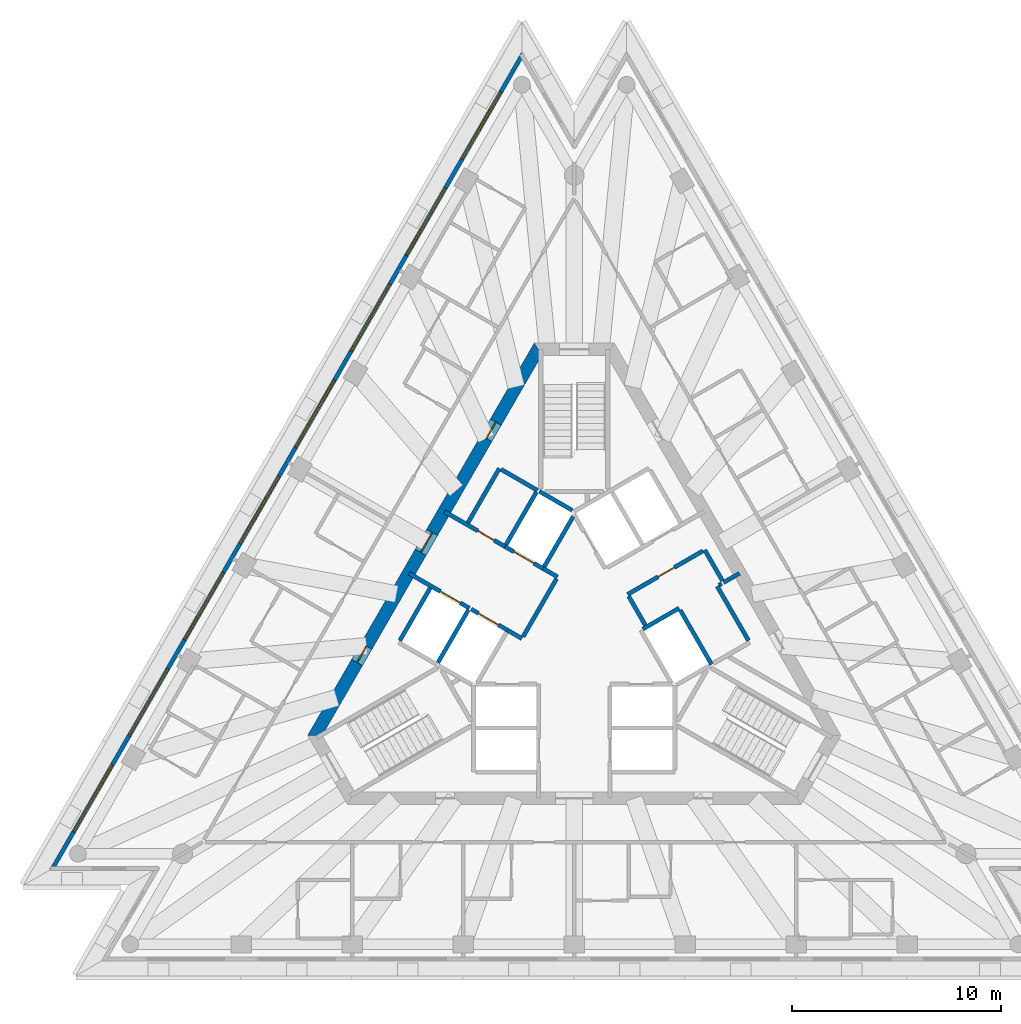
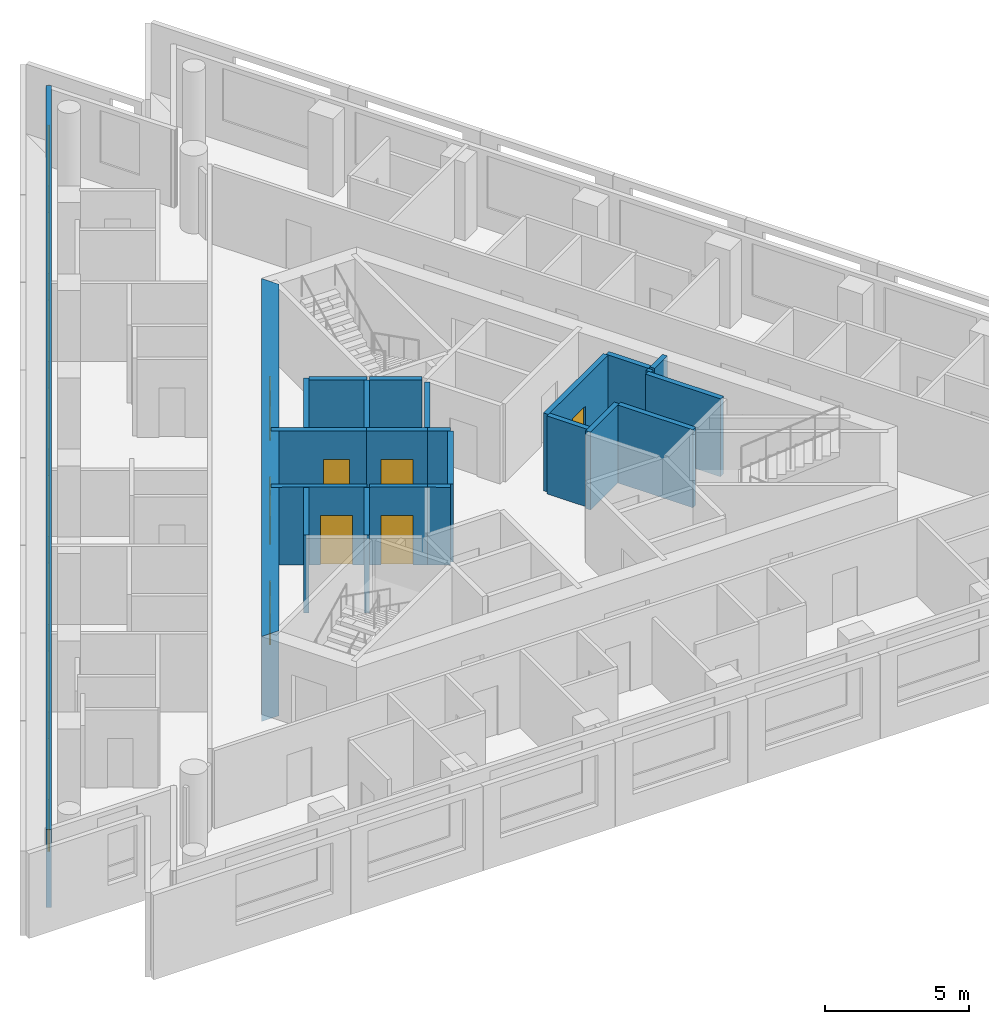
# One storey, part 5 of 11: 24 walls, 8 doors, 8 windows, 16 openings.
"""IFC4 building model written with IfcOpenShell, lengths in metres."""

from ifc_helpers import new_model, si_unit, direction, frame, frame_2d, origin, place, context, subcontext, project, spatial, polyline, rectangle, outline, extrude, material, layer, layer_set, layer_usage, type_object, element, fill, save


model = new_model("IFC4")

# Units and contexts
model_context = context("Model", 3, precision=1e-05, world=origin(), true_north=direction((0.0, 1.0)))
body_context = subcontext(model_context, "Body", "Model", "MODEL_VIEW")
ifc_project = project(units=[si_unit("LENGTHUNIT", "METRE"), si_unit("AREAUNIT", "SQUARE_METRE"), si_unit("VOLUMEUNIT", "CUBIC_METRE"), si_unit("PLANEANGLEUNIT", "RADIAN"), si_unit("MASSUNIT", "GRAM", prefix="KILO")], contexts=[model_context])

# Site, building, storey
site_placement = place(None, origin())
site = spatial("IfcSite", under=ifc_project, at=site_placement, CompositionType="ELEMENT")
building_placement = place(site_placement, origin())
building = spatial("IfcBuilding", under=site, at=building_placement, Name="Triada Interchange Tower", CompositionType="ELEMENT")
storey_placement = place(building_placement, frame((0.0, 0.0, 304.300048828125)))
storey = spatial("IfcBuildingStorey", under=building, at=storey_placement, Name="L72", CompositionType="ELEMENT", Elevation=304.300048828125)

# Walls
ifc_material_1 = material(Name="Concrete C30/37", Category="concrete")
ifc_layer_1 = layer(ifc_material_1, 0.199951171875)
ifc_layer_set_1 = layer_set([ifc_layer_1], Name="CORE WALL 200 EI 120")
wall_type_1 = type_object("IfcWallType", Name="CORE WALL 200 EI 120", PredefinedType="SOLIDWALL", material=ifc_layer_set_1)
wall_1_placement = place(storey_placement, frame((-8.325927734375, -0.6201171875, 0.0), z_axis=(0.0, 0.0, 1.0), x_axis=(0.500023687443, 0.866011727401, 0.0)))
element("IfcWall", 1, at=wall_1_placement, inside=storey, type_object=wall_type_1, Name="Wall L71 70", PredefinedType="SOLIDWALL", context=body_context, shape_type="SweptSolid", body=[
    extrude(rectangle(XDim=2.899658203125, YDim=0.199951171875, at=frame_2d((1.44970703125, 0.0))), origin(), (0.0, 0.0, 1.0), 3.300048828125),
])
wall_2_placement = place(storey_placement, frame((3.278076171875, -0.071044921875, 0.0), z_axis=(0.0, 0.0, 1.0), x_axis=(0.865855657918, 0.500293893279, 0.0)))
element("IfcWall", 2, at=wall_2_placement, inside=storey, type_object=wall_type_1, Name="Wall L71 85", PredefinedType="SOLIDWALL", context=body_context, shape_type="SweptSolid", body=[
    extrude(rectangle(XDim=1.996826171875, YDim=0.199951171875, at=frame_2d((0.99853515625, 0.0))), origin(), (0.0, 0.0, 1.0), 3.300048828125),
])
wall_3_placement = place(storey_placement, frame((7.12890625, 2.153076171875, 0.0), z_axis=(0.0, 0.0, 1.0), x_axis=(0.866083962871, 0.499898558967, 0.0)))
element("IfcWall", 3, at=wall_3_placement, inside=storey, type_object=wall_type_1, Name="Wall L71 86", PredefinedType="SOLIDWALL", context=body_context, shape_type="SweptSolid", body=[
    extrude(rectangle(XDim=0.880126953125, YDim=0.199951171875, at=frame_2d((0.43994140625, 0.0))), origin(), (0.0, 0.0, 1.0), 3.300048828125),
])
wall_4_placement = place(storey_placement, frame((5.056884765625, 0.841064453125, 0.0), z_axis=(0.0, 0.0, 1.0), x_axis=(0.499990139034, -0.866031096941, 0.0)))
element("IfcWall", 4, at=wall_4_placement, inside=storey, type_object=wall_type_1, Name="Wall L71 89", PredefinedType="SOLIDWALL", context=body_context, shape_type="SweptSolid", body=[
    extrude(rectangle(XDim=3.0, YDim=0.199951171875, at=frame_2d((1.5, 0.0))), origin(), (0.0, 0.0, 1.0), 3.300048828125),
])
wall_5_placement = place(storey_placement, frame((6.22900390625, 3.7119140625, 0.0), z_axis=(0.0, 0.0, 1.0), x_axis=(0.499875724984, -0.86609714211, 0.0)))
element("IfcWall", 5, at=wall_5_placement, inside=storey, type_object=wall_type_1, Name="Wall L71 91", PredefinedType="SOLIDWALL", context=body_context, shape_type="SweptSolid", body=[
    extrude(rectangle(XDim=1.70068359375, YDim=0.199951171875, at=frame_2d((0.850341796875, 0.0))), origin(), (0.0, 0.0, 1.0), 3.300048828125),
])

# Wall, opening, door
wall_6_placement = place(storey_placement, frame((2.548095703125, 1.5869140625, 0.0), z_axis=(0.0, 0.0, 1.0), x_axis=(0.866004344652, 0.500036473714, 0.0)))
wall_6 = element("IfcWall", 6, at=wall_6_placement, inside=storey, type_object=wall_type_1, Name="Wall L71 92", PredefinedType="SOLIDWALL", context=body_context, shape_type="SweptSolid", body=[
    extrude(rectangle(XDim=4.150146484375, YDim=0.199951171875, at=frame_2d((2.0751953125, 0.0))), origin(), (0.0, 0.0, 1.0), 3.300048828125),
])
opening_1_placement = place(wall_6_placement, frame((1.675048828125, 0.0, 0.0)))
opening_1 = element("IfcOpeningElement", 7, at=opening_1_placement, cuts=wall_6, Name="Opening D71-60", PredefinedType="OPENING", context=body_context, shape_type="SweptSolid", body=[
    extrude(rectangle(XDim=0.89990234375, YDim=2.10009765625, at=frame_2d((0.449951171875, 1.050048828125))), frame((0.0, 0.10986328125, 0.0), z_axis=(0.0, -1.0, 0.0), x_axis=(1.0, 0.0, 0.0)), (0.0, 0.0, 1.0), 0.219970703125),
])
ifc_material_2 = material(Name="Steel S235 door leaf", Category="steel")
door_type_1 = type_object("IfcDoorType", Name="SERVICE DOOR 900 EI2 45-C5S200", OperationType="NOTDEFINED", PredefinedType="DOOR", material=ifc_material_2)
door_1_placement = place(opening_1_placement, origin())
door_1 = element("IfcDoor", 8, at=door_1_placement, inside=storey, type_object=door_type_1, Name="Door D71-60 L72", OperationType="SINGLE_SWING_RIGHT", OverallHeight=2.10009765625, OverallWidth=0.89990234375, PredefinedType="DOOR", context=body_context, shape_type="SweptSolid", body=[
    extrude(rectangle(XDim=0.89990234375, YDim=2.10009765625, at=frame_2d((0.449951171875, 1.050048828125))), frame((0.0, 0.02490234375, 0.0), z_axis=(0.0, -1.0, 0.0), x_axis=(1.0, 0.0, 0.0)), (0.0, 0.0, 1.0), 0.050048828125),
])
fill(opening_1, door_1)

# Wall
wall_7_placement = place(storey_placement, frame((2.597900390625, 1.5, 0.0), z_axis=(0.0, 0.0, 1.0), x_axis=(0.499929347863, -0.866066190972, 0.0)))
element("IfcWall", 9, at=wall_7_placement, inside=storey, type_object=wall_type_1, Name="Wall L71 93", PredefinedType="SOLIDWALL", context=body_context, shape_type="SweptSolid", body=[
    extrude(rectangle(XDim=1.600341796875, YDim=0.199951171875, at=frame_2d((0.80029296875, 0.0))), origin(), (0.0, 0.0, 1.0), 3.300048828125),
])

# Wall, opening, door
ifc_layer_2 = layer(ifc_material_1, 0.199951171875)
ifc_layer_set_2 = layer_set([ifc_layer_2], Name="CORE WALL 200 EI 180")
wall_type_2 = type_object("IfcWallType", Name="CORE WALL 200 EI 180", PredefinedType="SOLIDWALL", material=ifc_layer_set_2)
wall_8_placement = place(storey_placement, frame((-7.89111328125, 2.593017578125, 0.0), z_axis=(0.0, 0.0, 1.0), x_axis=(0.866070917804, -0.499921159118, 0.0)))
wall_8 = element("IfcWall", 10, at=wall_8_placement, inside=storey, type_object=wall_type_2, Name="Wall L71 94", PredefinedType="SOLIDWALL", context=body_context, shape_type="SweptSolid", body=[
    extrude(rectangle(XDim=3.33251953125, YDim=0.199951171875, at=frame_2d((1.666259765625, 0.0))), origin(), (0.0, 0.0, 1.0), 3.300048828125),
])
opening_2_placement = place(wall_8_placement, frame((1.72998046875, 0.0, 0.0)))
opening_2 = element("IfcOpeningElement", 11, at=opening_2_placement, cuts=wall_8, Name="Opening LD-SV1", PredefinedType="OPENING", context=body_context, shape_type="SweptSolid", body=[
    extrude(rectangle(XDim=1.10009765625, YDim=2.10009765625, at=frame_2d((0.550048828125, 1.050048828125))), frame((0.0, 0.10986328125, 0.0), z_axis=(0.0, -1.0, 0.0), x_axis=(1.0, 0.0, 0.0)), (0.0, 0.0, 1.0), 0.219970703125),
])
door_type_2 = type_object("IfcDoorType", Name="LIFT LANDING DOOR 1100 EI 120", OperationType="SLIDING_TO_LEFT", PredefinedType="DOOR", material=ifc_material_2)
door_2_placement = place(opening_2_placement, origin())
door_2 = element("IfcDoor", 12, at=door_2_placement, inside=storey, type_object=door_type_2, Name="SV1 landing door L72", OperationType="SLIDING_TO_LEFT", OverallHeight=2.10009765625, OverallWidth=1.10009765625, PredefinedType="DOOR", context=body_context, shape_type="SweptSolid", body=[
    extrude(rectangle(XDim=1.10009765625, YDim=2.10009765625, at=frame_2d((0.550048828125, 1.050048828125))), frame((0.0, 0.02490234375, 0.0), z_axis=(0.0, -1.0, 0.0), x_axis=(1.0, 0.0, 0.0)), (0.0, 0.0, 1.0), 0.050048828125),
])
fill(opening_2, door_2)

# Wall
wall_9_placement = place(storey_placement, frame((-3.18798828125, -0.1220703125, 0.0), z_axis=(0.0, 0.0, 1.0), x_axis=(0.865705793592, -0.50055317294, 0.0)))
element("IfcWall", 13, at=wall_9_placement, inside=storey, type_object=wall_type_2, Name="Wall L71 95", PredefinedType="SOLIDWALL", context=body_context, shape_type="SweptSolid", body=[
    extrude(rectangle(XDim=0.796875, YDim=0.199951171875, at=frame_2d((0.3984375, 0.0))), origin(), (0.0, 0.0, 1.0), 3.300048828125),
])

# Wall, opening, door
wall_10_placement = place(storey_placement, frame((-6.19091796875, 5.537109375, 0.0), z_axis=(0.0, 0.0, 1.0), x_axis=(0.866052607023, -0.499952879648, 0.0)))
wall_10 = element("IfcWall", 14, at=wall_10_placement, inside=storey, type_object=wall_type_2, Name="Wall L71 96", PredefinedType="SOLIDWALL", context=body_context, shape_type="SweptSolid", body=[
    extrude(rectangle(XDim=3.332275390625, YDim=0.199951171875, at=frame_2d((1.666015625, 0.0))), origin(), (0.0, 0.0, 1.0), 3.300048828125),
])
opening_3_placement = place(wall_10_placement, frame((1.830078125, 0.0, 0.0)))
opening_3 = element("IfcOpeningElement", 15, at=opening_3_placement, cuts=wall_10, Name="Opening D71-10", PredefinedType="OPENING", context=body_context, shape_type="SweptSolid", body=[
    extrude(rectangle(XDim=0.89990234375, YDim=2.10009765625, at=frame_2d((0.449951171875, 1.050048828125))), frame((0.0, 0.10986328125, 0.0), z_axis=(0.0, -1.0, 0.0), x_axis=(1.0, 0.0, 0.0)), (0.0, 0.0, 1.0), 0.219970703125),
])
door_type_3 = type_object("IfcDoorType", Name="SERVICE DOOR 900 EI2 90-C5S200", OperationType="NOTDEFINED", PredefinedType="DOOR", material=ifc_material_2)
door_3_placement = place(opening_3_placement, origin())
door_3 = element("IfcDoor", 16, at=door_3_placement, inside=storey, type_object=door_type_3, Name="Door D71-10 L72", OperationType="SINGLE_SWING_LEFT", OverallHeight=2.10009765625, OverallWidth=0.89990234375, PredefinedType="DOOR", context=body_context, shape_type="SweptSolid", body=[
    extrude(rectangle(XDim=0.89990234375, YDim=2.10009765625, at=frame_2d((0.449951171875, 1.050048828125))), frame((0.0, 0.02490234375, 0.0), z_axis=(0.0, -1.0, 0.0), x_axis=(1.0, 0.0, 0.0)), (0.0, 0.0, 1.0), 0.050048828125),
])
fill(opening_3, door_3)

# Walls
wall_11_placement = place(storey_placement, frame((-1.488037109375, 2.822021484375, 0.0), z_axis=(0.0, 0.0, 1.0), x_axis=(0.866236612152, -0.499633997809, 0.0)))
element("IfcWall", 17, at=wall_11_placement, inside=storey, type_object=wall_type_2, Name="Wall L71 97", PredefinedType="SOLIDWALL", context=body_context, shape_type="SweptSolid", body=[
    extrude(rectangle(XDim=0.79638671875, YDim=0.199951171875, at=frame_2d((0.398193359375, 0.0))), origin(), (0.0, 0.0, 1.0), 3.300048828125),
])
wall_12_placement = place(storey_placement, frame((-5.075927734375, 5.009033203125, 0.0), z_axis=(0.0, 0.0, 1.0), x_axis=(0.50002537861, 0.866010750942, 0.0)))
element("IfcWall", 18, at=wall_12_placement, inside=storey, type_object=wall_type_2, Name="Wall L71 98", PredefinedType="SOLIDWALL", context=body_context, shape_type="SweptSolid", body=[
    extrude(rectangle(XDim=2.999755859375, YDim=0.199951171875, at=frame_2d((1.5, 0.0))), origin(), (0.0, 0.0, 1.0), 3.300048828125),
])
wall_13_placement = place(storey_placement, frame((-3.489013671875, 7.556884765625, 0.0), z_axis=(0.0, 0.0, 1.0), x_axis=(0.866010750942, -0.50002537861, 0.0)))
element("IfcWall", 19, at=wall_13_placement, inside=storey, type_object=wall_type_2, Name="Wall L71 99", PredefinedType="SOLIDWALL", context=body_context, shape_type="SweptSolid", body=[
    extrude(rectangle(XDim=2.0, YDim=0.199951171875, at=frame_2d((1.0, 0.0))), origin(), (0.0, 0.0, 1.0), 3.300048828125),
])
wall_14_placement = place(storey_placement, frame((-2.444091796875, -0.43310546875, 0.0), z_axis=(0.0, 0.0, 1.0), x_axis=(0.500035624827, 0.866004834804, 0.0)))
element("IfcWall", 20, at=wall_14_placement, inside=storey, type_object=wall_type_2, Name="Wall L71 100", PredefinedType="SOLIDWALL", context=body_context, shape_type="SweptSolid", body=[
    extrude(rectangle(XDim=3.194091796875, YDim=0.199951171875, at=frame_2d((1.59716796875, 0.0))), origin(), (0.0, 0.0, 1.0), 3.300048828125),
])
wall_15_placement = place(storey_placement, frame((-6.507080078125, -1.669921875, 0.0), z_axis=(0.0, 0.0, 1.0), x_axis=(0.50012328804, 0.865954211699, 0.0)))
element("IfcWall", 21, at=wall_15_placement, inside=storey, type_object=wall_type_2, Name="Shaft wall FF1 L71 101", PredefinedType="SOLIDWALL", context=body_context, shape_type="SweptSolid", body=[
    extrude(rectangle(XDim=2.899658203125, YDim=0.199951171875, at=frame_2d((1.44970703125, 0.0))), origin(), (0.0, 0.0, 1.0), 3.300048828125),
])

# Wall, opening, door
wall_16_placement = place(storey_placement, frame((-4.922119140625, 0.87890625, 0.0), z_axis=(0.0, 0.0, 1.0), x_axis=(0.866073918653, -0.499915960366, 0.0)))
wall_16 = element("IfcWall", 22, at=wall_16_placement, inside=storey, type_object=wall_type_2, Name="Shaft wall FF1 L71 103", PredefinedType="SOLIDWALL", context=body_context, shape_type="SweptSolid", body=[
    extrude(rectangle(XDim=2.002197265625, YDim=0.199951171875, at=frame_2d((1.0009765625, 0.0))), origin(), (0.0, 0.0, 1.0), 3.300048828125),
])
opening_4_placement = place(wall_16_placement, frame((0.402099609375, 0.0, 0.0)))
opening_4 = element("IfcOpeningElement", 23, at=opening_4_placement, cuts=wall_16, Name="Opening LD-FF1", PredefinedType="OPENING", context=body_context, shape_type="SweptSolid", body=[
    extrude(rectangle(XDim=1.10009765625, YDim=2.10009765625, at=frame_2d((0.550048828125, 1.050048828125))), frame((0.0, 0.10986328125, 0.0), z_axis=(0.0, -1.0, 0.0), x_axis=(1.0, 0.0, 0.0)), (0.0, 0.0, 1.0), 0.219970703125),
])
door_4_placement = place(opening_4_placement, origin())
door_4 = element("IfcDoor", 24, at=door_4_placement, inside=storey, type_object=door_type_2, Name="FF1 landing door L72", OperationType="SLIDING_TO_LEFT", OverallHeight=2.10009765625, OverallWidth=1.10009765625, PredefinedType="DOOR", context=body_context, shape_type="SweptSolid", body=[
    extrude(rectangle(XDim=1.10009765625, YDim=2.10009765625, at=frame_2d((0.550048828125, 1.050048828125))), frame((0.0, 0.02490234375, 0.0), z_axis=(0.0, -1.0, 0.0), x_axis=(1.0, 0.0, 0.0)), (0.0, 0.0, 1.0), 0.050048828125),
])
fill(opening_4, door_4)

wall_17_placement = place(storey_placement, frame((-3.30908203125, 3.873046875, 0.0), z_axis=(0.0, 0.0, 1.0), x_axis=(0.866098583652, -0.499873227325, 0.0)))
wall_17 = element("IfcWall", 25, at=wall_17_placement, inside=storey, type_object=wall_type_2, Name="Shaft wall FF2 L71 105", PredefinedType="SOLIDWALL", context=body_context, shape_type="SweptSolid", body=[
    extrude(rectangle(XDim=2.1025390625, YDim=0.199951171875, at=frame_2d((1.05126953125, 0.0))), origin(), (0.0, 0.0, 1.0), 3.300048828125),
])
opening_5_placement = place(wall_17_placement, frame((0.501953125, 0.0, 0.0)))
opening_5 = element("IfcOpeningElement", 26, at=opening_5_placement, cuts=wall_17, Name="Opening LD-FF2", PredefinedType="OPENING", context=body_context, shape_type="SweptSolid", body=[
    extrude(rectangle(XDim=1.10009765625, YDim=2.10009765625, at=frame_2d((0.550048828125, 1.050048828125))), frame((0.0, 0.10986328125, 0.0), z_axis=(0.0, -1.0, 0.0), x_axis=(1.0, 0.0, 0.0)), (0.0, 0.0, 1.0), 0.219970703125),
])
door_5_placement = place(opening_5_placement, origin())
door_5 = element("IfcDoor", 27, at=door_5_placement, inside=storey, type_object=door_type_2, Name="FF2 landing door L72", OperationType="SLIDING_TO_LEFT", OverallHeight=2.10009765625, OverallWidth=1.10009765625, PredefinedType="DOOR", context=body_context, shape_type="SweptSolid", body=[
    extrude(rectangle(XDim=1.10009765625, YDim=2.10009765625, at=frame_2d((0.550048828125, 1.050048828125))), frame((0.0, 0.02490234375, 0.0), z_axis=(0.0, -1.0, 0.0), x_axis=(1.0, 0.0, 0.0)), (0.0, 0.0, 1.0), 0.050048828125),
])
fill(opening_5, door_5)

# Walls
wall_18_placement = place(storey_placement, frame((-3.257080078125, 3.958984375, 0.0), z_axis=(0.0, 0.0, 1.0), x_axis=(0.50012328804, 0.865954211699, 0.0)))
element("IfcWall", 28, at=wall_18_placement, inside=storey, type_object=wall_type_2, Name="Shaft wall FF2 L71 106", PredefinedType="SOLIDWALL", context=body_context, shape_type="SweptSolid", body=[
    extrude(rectangle(XDim=2.899658203125, YDim=0.199951171875, at=frame_2d((1.44970703125, 0.0))), origin(), (0.0, 0.0, 1.0), 3.300048828125),
])
wall_19_placement = place(storey_placement, frame((-1.669921875, 6.507080078125, 0.0), z_axis=(0.0, 0.0, 1.0), x_axis=(0.865941441609, -0.500145398563, 0.0)))
element("IfcWall", 29, at=wall_19_placement, inside=storey, type_object=wall_type_2, Name="Shaft wall FF2 L71 107", PredefinedType="SOLIDWALL", context=body_context, shape_type="SweptSolid", body=[
    extrude(rectangle(XDim=1.8154296875, YDim=0.199951171875, at=frame_2d((0.90771484375, 0.0))), origin(), (0.0, 0.0, 1.0), 3.300048828125),
])
wall_20_placement = place(storey_placement, frame((-1.43798828125, 2.908935546875, 0.0), z_axis=(0.0, 0.0, 1.0), x_axis=(0.499829630636, 0.866123744241, 0.0)))
element("IfcWall", 30, at=wall_20_placement, inside=storey, type_object=wall_type_2, Name="Shaft wall FF2 L71 108", PredefinedType="SOLIDWALL", context=body_context, shape_type="SweptSolid", body=[
    extrude(rectangle(XDim=2.7607421875, YDim=0.199951171875, at=frame_2d((1.38037109375, 0.0))), origin(), (0.0, 0.0, 1.0), 3.300048828125),
])
ifc_layer_3 = layer(ifc_material_1, 0.199951171875)
ifc_layer_set_3 = layer_set([ifc_layer_3], Name="CORE WALL 200 EI 90")
wall_type_3 = type_object("IfcWallType", Name="CORE WALL 200 EI 90", PredefinedType="SOLIDWALL", material=ifc_layer_set_3)
wall_21_placement = place(storey_placement, frame((6.825927734375, 1.97802734375, 0.0), z_axis=(0.0, 0.0, 1.0), x_axis=(0.499990139034, -0.866031096941, 0.0)))
element("IfcWall", 31, at=wall_21_placement, inside=storey, type_object=wall_type_3, Name="Wall L71 112", PredefinedType="SOLIDWALL", context=body_context, shape_type="SweptSolid", body=[
    extrude(rectangle(XDim=3.0, YDim=0.199951171875, at=frame_2d((1.5, 0.0))), origin(), (0.0, 0.0, 1.0), 3.300048828125),
])
wall_22_placement = place(storey_placement, frame((6.912109375, 2.028076171875, 0.0), z_axis=(0.0, 0.0, 1.0), x_axis=(0.866559367082, 0.499074005857, 0.0)))
element("IfcWall", 32, at=wall_22_placement, inside=storey, type_object=wall_type_3, Name="Wall L71 113", PredefinedType="SOLIDWALL", context=body_context, shape_type="SweptSolid", body=[
    extrude(rectangle(XDim=0.152099609375, YDim=0.199951171875, at=frame_2d((0.076171875, 0.0))), origin(), (0.0, 0.0, 1.0), 3.300048828125),
])

# Wall, openings, doors
ifc_material_3 = material(Name="Concrete C40/50", Category="concrete")
ifc_layer_4 = layer(ifc_material_3, 0.60009765625)
ifc_layer_set_4 = layer_set([ifc_layer_4], Name="Core wall D 600")
wall_type_4 = type_object("IfcWallType", Name="Core wall D 600", PredefinedType="SHEAR", material=ifc_layer_set_4)
wall_23_placement = place(storey_placement, frame((-1.73193359375, 13.300048828125, -0.300048828125), z_axis=(0.0, 0.0, 1.0), x_axis=(-0.500000539815, -0.866025092122, 0.0)))
wall_23 = element("IfcWall", 33, at=wall_23_placement, inside=storey, type_object=wall_type_4, Name="Core wall WD02 L72", PredefinedType="SHEAR", context=body_context, shape_type="SweptSolid", body=[
    extrude(outline(polyline([(-0.173095703125, -0.300048828125), (1.795166015625, -0.300048828125), (3.763427734375, -0.30029296875), (5.731689453125, -0.30029296875), (7.699951171875, -0.30029296875), (9.668212890625, -0.300537109375), (11.63671875, -0.300537109375), (13.60498046875, -0.30078125), (15.5732421875, -0.30078125), (17.54150390625, -0.30078125), (19.509765625, -0.301025390625), (21.47802734375, -0.301025390625), (21.131103515625, 0.300048828125), (19.225830078125, 0.300048828125), (17.320556640625, 0.300048828125), (15.415283203125, 0.300048828125), (13.510009765625, 0.300048828125), (11.604736328125, 0.300048828125), (9.699462890625, 0.300048828125), (7.794189453125, 0.300048828125), (5.888916015625, 0.300048828125), (3.983642578125, 0.300048828125), (2.078369140625, 0.300048828125), (0.173095703125, 0.300048828125), (-0.173095703125, -0.300048828125)])), origin(), (0.0, 0.0, 1.0), 3.60009765625),
])
opening_6_placement = place(wall_23_placement, frame((10.10205078125, 0.0, 0.300048828125)))
opening_6 = element("IfcOpeningElement", 34, at=opening_6_placement, cuts=wall_23, Name="Opening D71-53", PredefinedType="OPENING", context=body_context, shape_type="SweptSolid", body=[
    extrude(rectangle(XDim=1.10009765625, YDim=2.10009765625, at=frame_2d((0.550048828125, 1.050048828125))), frame((0.0, 0.31005859375, 0.0), z_axis=(0.0, -1.0, 0.0), x_axis=(1.0, 0.0, 0.0)), (0.0, 0.0, 1.0), 0.62109375),
])
opening_7_placement = place(wall_23_placement, frame((16.3779296875, 0.0, 0.300048828125)))
opening_7 = element("IfcOpeningElement", 35, at=opening_7_placement, cuts=wall_23, Name="Opening D71-54", PredefinedType="OPENING", context=body_context, shape_type="SweptSolid", body=[
    extrude(rectangle(XDim=0.89990234375, YDim=2.10009765625, at=frame_2d((0.449951171875, 1.050048828125))), frame((0.0, 0.31005859375, 0.0), z_axis=(0.0, -1.0, 0.0), x_axis=(1.0, 0.0, 0.0)), (0.0, 0.0, 1.0), 0.62109375),
])
opening_8_placement = place(wall_23_placement, frame((4.02587890625, 0.0, 0.300048828125)))
opening_8 = element("IfcOpeningElement", 36, at=opening_8_placement, cuts=wall_23, Name="Opening D71-56", PredefinedType="OPENING", context=body_context, shape_type="SweptSolid", body=[
    extrude(rectangle(XDim=0.89990234375, YDim=2.10009765625, at=frame_2d((0.449951171875, 1.050048828125))), frame((0.0, 0.31005859375, 0.0), z_axis=(0.0, -1.0, 0.0), x_axis=(1.0, 0.0, 0.0)), (0.0, 0.0, 1.0), 0.62109375),
])
door_type_4 = type_object("IfcDoorType", Name="FIRE LOBBY DOOR 1100 EI2 90-C5S200", OperationType="NOTDEFINED", PredefinedType="DOOR", material=ifc_material_2)
door_6_placement = place(opening_6_placement, origin())
door_6 = element("IfcDoor", 37, at=door_6_placement, inside=storey, type_object=door_type_4, Name="Door D71-53 L72", OperationType="SINGLE_SWING_RIGHT", OverallHeight=2.10009765625, OverallWidth=1.10009765625, PredefinedType="DOOR", context=body_context, shape_type="SweptSolid", body=[
    extrude(rectangle(XDim=1.10009765625, YDim=2.10009765625, at=frame_2d((0.550048828125, 1.050048828125))), frame((0.0, 0.02490234375, 0.0), z_axis=(0.0, -1.0, 0.0), x_axis=(1.0, 0.0, 0.0)), (0.0, 0.0, 1.0), 0.050048828125),
])
fill(opening_6, door_6)
door_type_5 = type_object("IfcDoorType", Name="RISER ACCESS DOOR 900 EI2 45-C5S200", OperationType="NOTDEFINED", PredefinedType="DOOR", material=ifc_material_2)
door_7_placement = place(opening_7_placement, origin())
door_7 = element("IfcDoor", 38, at=door_7_placement, inside=storey, type_object=door_type_5, Name="Door D71-54 L72", OperationType="SINGLE_SWING_RIGHT", OverallHeight=2.10009765625, OverallWidth=0.89990234375, PredefinedType="DOOR", context=body_context, shape_type="SweptSolid", body=[
    extrude(rectangle(XDim=0.89990234375, YDim=2.10009765625, at=frame_2d((0.449951171875, 1.050048828125))), frame((0.0, 0.02490234375, 0.0), z_axis=(0.0, -1.0, 0.0), x_axis=(1.0, 0.0, 0.0)), (0.0, 0.0, 1.0), 0.050048828125),
])
fill(opening_7, door_7)
door_8_placement = place(opening_8_placement, origin())
door_8 = element("IfcDoor", 39, at=door_8_placement, inside=storey, type_object=door_type_1, Name="Door D71-56 L72", OperationType="SINGLE_SWING_LEFT", OverallHeight=2.10009765625, OverallWidth=0.89990234375, PredefinedType="DOOR", context=body_context, shape_type="SweptSolid", body=[
    extrude(rectangle(XDim=0.89990234375, YDim=2.10009765625, at=frame_2d((0.449951171875, 1.050048828125))), frame((0.0, 0.02490234375, 0.0), z_axis=(0.0, -1.0, 0.0), x_axis=(1.0, 0.0, 0.0)), (0.0, 0.0, 1.0), 0.050048828125),
])
fill(opening_8, door_8)

# Wall, openings, windows
ifc_material_4 = material(Name="Cement board")
ifc_layer_5 = layer(ifc_material_4, 0.02001953125, Name="Cement board cladding")
ifc_material_5 = material(Name="Sheathing board")
ifc_layer_6 = layer(ifc_material_5, 0.014892578125, Name="Sheathing board")
ifc_material_6 = material(Name="Mineral wool")
ifc_layer_7 = layer(ifc_material_6, 0.14990234375, Name="Mineral wool between steel studs")
ifc_material_7 = material(Name="Gypsum board")
ifc_layer_8 = layer(ifc_material_7, 0.014892578125, Name="Plasterboard lining")
ifc_layer_set_5 = layer_set([ifc_layer_5, ifc_layer_6, ifc_layer_7, ifc_layer_8], Name="External wall 200")
ifc_layer_usage = layer_usage(ifc_layer_set_5, "AXIS2", "POSITIVE", -0.10009765625)
wall_type_5 = type_object("IfcWallType", Name="External wall 200", PredefinedType="ELEMENTEDWALL", material=ifc_layer_set_5)
wall_24_placement = place(storey_placement, frame((-2.452880859375, 27.405029296875, 0.0), z_axis=(0.0, 0.0, 1.0), x_axis=(-0.500000041859, -0.866025379617, 0.0)))
wall_24 = element("IfcWall", 40, at=wall_24_placement, inside=storey, type_object=wall_type_5, material=ifc_layer_usage, Name="External wall L72 NW", PredefinedType="ELEMENTEDWALL", context=body_context, shape_type="SweptSolid", body=[
    extrude(rectangle(XDim=44.994140625, YDim=0.199951171875, at=frame_2d((22.4970703125, 0.0))), origin(), (0.0, 0.0, 1.0), 3.300048828125),
])
opening_9_placement = place(wall_24_placement, frame((2.10302734375, 0.0, 0.89990234375)))
opening_9 = element("IfcOpeningElement", 41, at=opening_9_placement, cuts=wall_24, Name="Opening WD01", PredefinedType="OPENING", context=body_context, shape_type="SweptSolid", body=[
    extrude(rectangle(XDim=3.699951171875, YDim=2.199951171875, at=frame_2d((1.85009765625, 1.10009765625))), frame((0.0, 0.10986328125, 0.0), z_axis=(0.0, -1.0, 0.0), x_axis=(1.0, 0.0, 0.0)), (0.0, 0.0, 1.0), 0.219970703125),
])
opening_10_placement = place(wall_24_placement, frame((7.404052734375, 0.0, 0.89990234375)))
opening_10 = element("IfcOpeningElement", 42, at=opening_10_placement, cuts=wall_24, Name="Opening WD02", PredefinedType="OPENING", context=body_context, shape_type="SweptSolid", body=[
    extrude(rectangle(XDim=3.699951171875, YDim=2.199951171875, at=frame_2d((1.85009765625, 1.10009765625))), frame((0.0, 0.10986328125, 0.0), z_axis=(0.0, -1.0, 0.0), x_axis=(1.0, 0.0, 0.0)), (0.0, 0.0, 1.0), 0.219970703125),
])
opening_11_placement = place(wall_24_placement, frame((12.705078125, 0.0, 0.89990234375)))
opening_11 = element("IfcOpeningElement", 43, at=opening_11_placement, cuts=wall_24, Name="Opening WD03", PredefinedType="OPENING", context=body_context, shape_type="SweptSolid", body=[
    extrude(rectangle(XDim=3.699951171875, YDim=2.199951171875, at=frame_2d((1.85009765625, 1.10009765625))), frame((0.0, 0.10986328125, 0.0), z_axis=(0.0, -1.0, 0.0), x_axis=(1.0, 0.0, 0.0)), (0.0, 0.0, 1.0), 0.219970703125),
])
opening_12_placement = place(wall_24_placement, frame((18.006103515625, 0.0, 0.89990234375)))
opening_12 = element("IfcOpeningElement", 44, at=opening_12_placement, cuts=wall_24, Name="Opening WD04", PredefinedType="OPENING", context=body_context, shape_type="SweptSolid", body=[
    extrude(rectangle(XDim=3.699951171875, YDim=2.199951171875, at=frame_2d((1.85009765625, 1.10009765625))), frame((0.0, 0.10986328125, 0.0), z_axis=(0.0, -1.0, 0.0), x_axis=(1.0, 0.0, 0.0)), (0.0, 0.0, 1.0), 0.219970703125),
])
opening_13_placement = place(wall_24_placement, frame((23.306884765625, 0.0, 0.89990234375)))
opening_13 = element("IfcOpeningElement", 45, at=opening_13_placement, cuts=wall_24, Name="Opening WD05", PredefinedType="OPENING", context=body_context, shape_type="SweptSolid", body=[
    extrude(rectangle(XDim=3.699951171875, YDim=2.199951171875, at=frame_2d((1.85009765625, 1.10009765625))), frame((0.0, 0.10986328125, 0.0), z_axis=(0.0, -1.0, 0.0), x_axis=(1.0, 0.0, 0.0)), (0.0, 0.0, 1.0), 0.219970703125),
])
opening_14_placement = place(wall_24_placement, frame((28.60791015625, 0.0, 0.89990234375)))
opening_14 = element("IfcOpeningElement", 46, at=opening_14_placement, cuts=wall_24, Name="Opening WD06", PredefinedType="OPENING", context=body_context, shape_type="SweptSolid", body=[
    extrude(rectangle(XDim=3.699951171875, YDim=2.199951171875, at=frame_2d((1.85009765625, 1.10009765625))), frame((0.0, 0.10986328125, 0.0), z_axis=(0.0, -1.0, 0.0), x_axis=(1.0, 0.0, 0.0)), (0.0, 0.0, 1.0), 0.219970703125),
])
opening_15_placement = place(wall_24_placement, frame((33.908935546875, 0.0, 0.89990234375)))
opening_15 = element("IfcOpeningElement", 47, at=opening_15_placement, cuts=wall_24, Name="Opening WD07", PredefinedType="OPENING", context=body_context, shape_type="SweptSolid", body=[
    extrude(rectangle(XDim=3.699951171875, YDim=2.199951171875, at=frame_2d((1.85009765625, 1.10009765625))), frame((0.0, 0.10986328125, 0.0), z_axis=(0.0, -1.0, 0.0), x_axis=(1.0, 0.0, 0.0)), (0.0, 0.0, 1.0), 0.219970703125),
])
opening_16_placement = place(wall_24_placement, frame((39.2099609375, 0.0, 0.89990234375)))
opening_16 = element("IfcOpeningElement", 48, at=opening_16_placement, cuts=wall_24, Name="Opening WD08", PredefinedType="OPENING", context=body_context, shape_type="SweptSolid", body=[
    extrude(rectangle(XDim=3.699951171875, YDim=2.199951171875, at=frame_2d((1.85009765625, 1.10009765625))), frame((0.0, 0.10986328125, 0.0), z_axis=(0.0, -1.0, 0.0), x_axis=(1.0, 0.0, 0.0)), (0.0, 0.0, 1.0), 0.219970703125),
])
ifc_material_8 = material(Name="Double glazed aluminium window", Category="aluminium")
window_type = type_object("IfcWindowType", Name="Ribbon window D face", PartitioningType="SINGLE_PANEL", PredefinedType="WINDOW", material=ifc_material_8)
window_1_placement = place(opening_9_placement, origin())
window_1 = element("IfcWindow", 49, at=window_1_placement, inside=storey, type_object=window_type, Name="Window L72 NW 1", OverallHeight=2.199951171875, OverallWidth=3.699951171875, PartitioningType="SINGLE_PANEL", PredefinedType="WINDOW", context=body_context, shape_type="SweptSolid", body=[
    extrude(rectangle(XDim=3.699951171875, YDim=2.199951171875, at=frame_2d((1.85009765625, 1.10009765625))), frame((0.0, 0.030029296875, 0.0), z_axis=(0.0, -1.0, 0.0), x_axis=(1.0, 0.0, 0.0)), (0.0, 0.0, 1.0), 0.06005859375),
])
fill(opening_9, window_1)
window_2_placement = place(opening_10_placement, origin())
window_2 = element("IfcWindow", 50, at=window_2_placement, inside=storey, type_object=window_type, Name="Window L72 NW 2", OverallHeight=2.199951171875, OverallWidth=3.699951171875, PartitioningType="SINGLE_PANEL", PredefinedType="WINDOW", context=body_context, shape_type="SweptSolid", body=[
    extrude(rectangle(XDim=3.699951171875, YDim=2.199951171875, at=frame_2d((1.85009765625, 1.10009765625))), frame((0.0, 0.030029296875, 0.0), z_axis=(0.0, -1.0, 0.0), x_axis=(1.0, 0.0, 0.0)), (0.0, 0.0, 1.0), 0.06005859375),
])
fill(opening_10, window_2)
window_3_placement = place(opening_11_placement, origin())
window_3 = element("IfcWindow", 51, at=window_3_placement, inside=storey, type_object=window_type, Name="Window L72 NW 3", OverallHeight=2.199951171875, OverallWidth=3.699951171875, PartitioningType="SINGLE_PANEL", PredefinedType="WINDOW", context=body_context, shape_type="SweptSolid", body=[
    extrude(rectangle(XDim=3.699951171875, YDim=2.199951171875, at=frame_2d((1.85009765625, 1.10009765625))), frame((0.0, 0.030029296875, 0.0), z_axis=(0.0, -1.0, 0.0), x_axis=(1.0, 0.0, 0.0)), (0.0, 0.0, 1.0), 0.06005859375),
])
fill(opening_11, window_3)
window_4_placement = place(opening_12_placement, origin())
window_4 = element("IfcWindow", 52, at=window_4_placement, inside=storey, type_object=window_type, Name="Window L72 NW 4", OverallHeight=2.199951171875, OverallWidth=3.699951171875, PartitioningType="SINGLE_PANEL", PredefinedType="WINDOW", context=body_context, shape_type="SweptSolid", body=[
    extrude(rectangle(XDim=3.699951171875, YDim=2.199951171875, at=frame_2d((1.85009765625, 1.10009765625))), frame((0.0, 0.030029296875, 0.0), z_axis=(0.0, -1.0, 0.0), x_axis=(1.0, 0.0, 0.0)), (0.0, 0.0, 1.0), 0.06005859375),
])
fill(opening_12, window_4)
window_5_placement = place(opening_13_placement, origin())
window_5 = element("IfcWindow", 53, at=window_5_placement, inside=storey, type_object=window_type, Name="Window L72 NW 5", OverallHeight=2.199951171875, OverallWidth=3.699951171875, PartitioningType="SINGLE_PANEL", PredefinedType="WINDOW", context=body_context, shape_type="SweptSolid", body=[
    extrude(rectangle(XDim=3.699951171875, YDim=2.199951171875, at=frame_2d((1.85009765625, 1.10009765625))), frame((0.0, 0.030029296875, 0.0), z_axis=(0.0, -1.0, 0.0), x_axis=(1.0, 0.0, 0.0)), (0.0, 0.0, 1.0), 0.06005859375),
])
fill(opening_13, window_5)
window_6_placement = place(opening_14_placement, origin())
window_6 = element("IfcWindow", 54, at=window_6_placement, inside=storey, type_object=window_type, Name="Window L72 NW 6", OverallHeight=2.199951171875, OverallWidth=3.699951171875, PartitioningType="SINGLE_PANEL", PredefinedType="WINDOW", context=body_context, shape_type="SweptSolid", body=[
    extrude(rectangle(XDim=3.699951171875, YDim=2.199951171875, at=frame_2d((1.85009765625, 1.10009765625))), frame((0.0, 0.030029296875, 0.0), z_axis=(0.0, -1.0, 0.0), x_axis=(1.0, 0.0, 0.0)), (0.0, 0.0, 1.0), 0.06005859375),
])
fill(opening_14, window_6)
window_7_placement = place(opening_15_placement, origin())
window_7 = element("IfcWindow", 55, at=window_7_placement, inside=storey, type_object=window_type, Name="Window L72 NW 7", OverallHeight=2.199951171875, OverallWidth=3.699951171875, PartitioningType="SINGLE_PANEL", PredefinedType="WINDOW", context=body_context, shape_type="SweptSolid", body=[
    extrude(rectangle(XDim=3.699951171875, YDim=2.199951171875, at=frame_2d((1.85009765625, 1.10009765625))), frame((0.0, 0.030029296875, 0.0), z_axis=(0.0, -1.0, 0.0), x_axis=(1.0, 0.0, 0.0)), (0.0, 0.0, 1.0), 0.06005859375),
])
fill(opening_15, window_7)
window_8_placement = place(opening_16_placement, origin())
window_8 = element("IfcWindow", 56, at=window_8_placement, inside=storey, type_object=window_type, Name="Window L72 NW 8", OverallHeight=2.199951171875, OverallWidth=3.699951171875, PartitioningType="SINGLE_PANEL", PredefinedType="WINDOW", context=body_context, shape_type="SweptSolid", body=[
    extrude(rectangle(XDim=3.699951171875, YDim=2.199951171875, at=frame_2d((1.85009765625, 1.10009765625))), frame((0.0, 0.030029296875, 0.0), z_axis=(0.0, -1.0, 0.0), x_axis=(1.0, 0.0, 0.0)), (0.0, 0.0, 1.0), 0.06005859375),
])
fill(opening_16, window_8)

save(model, "model.ifc")
